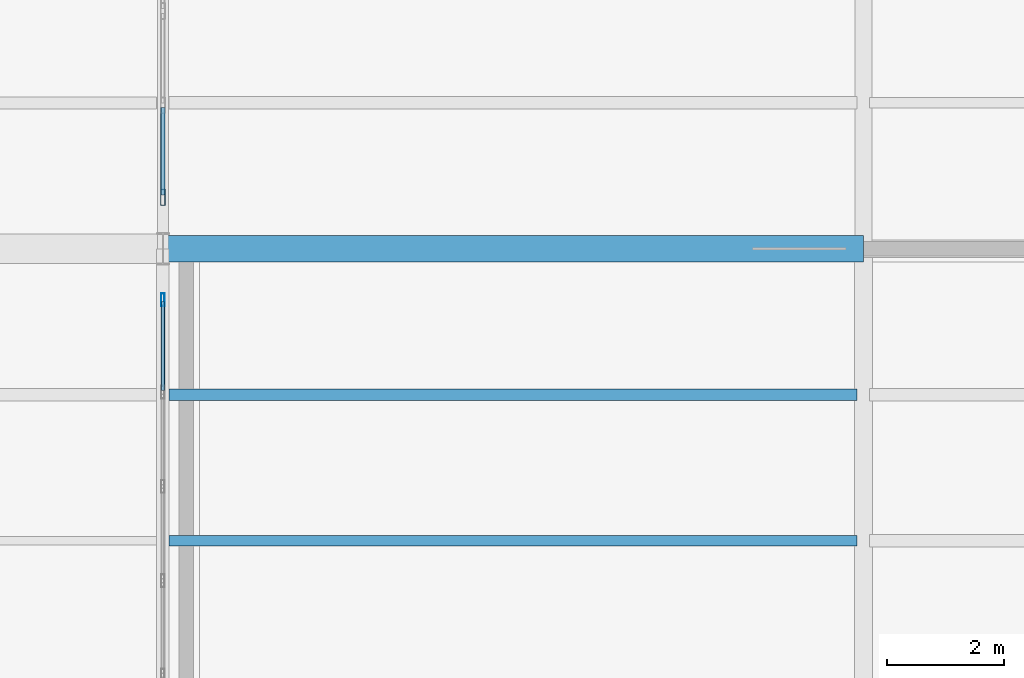
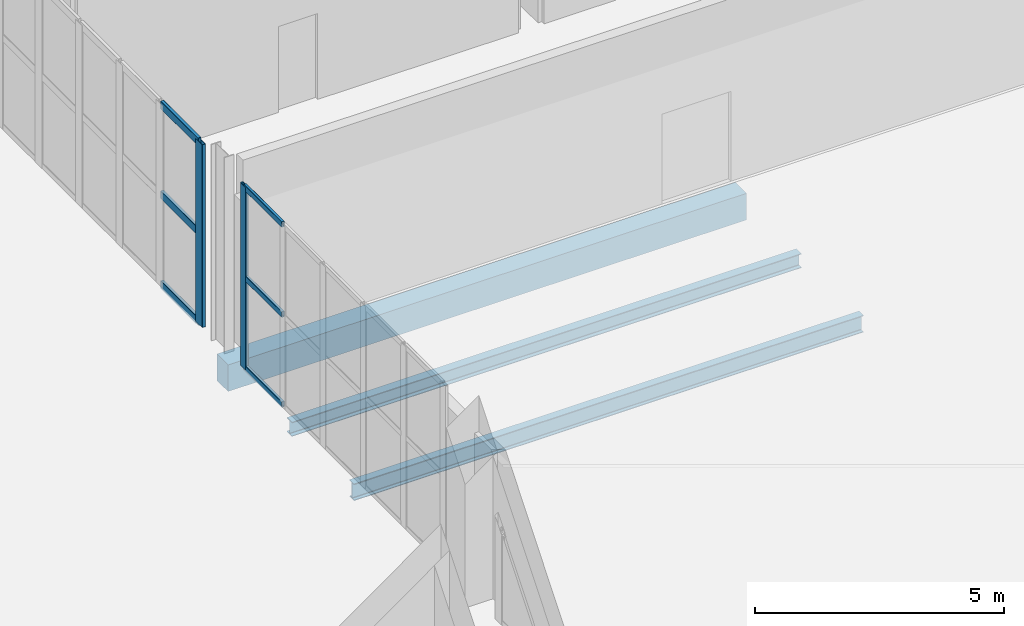
# One storey, part 74 of 136: 8 members, 3 beams, 2 elements without a shape of their own.
"""IFC4 building model written with IfcOpenShell, lengths in metres."""

from ifc_helpers import new_model, si_unit, direction, frame, origin, origin_2d, place, context, subcontext, project, spatial, rectangle, hollow_rectangle, i_section, extrude, material, layer, layer_set, material_profile, profile_set, type_object, element, aggregate, save


model = new_model("IFC4")

# Units and contexts
model_context = context("Model", 3, precision=1e-05, world=origin(), true_north=direction((0.0, 1.0)))
body_context = subcontext(model_context, "Body", "Model", "MODEL_VIEW")
ifc_project = project(units=[si_unit("LENGTHUNIT", "METRE"), si_unit("AREAUNIT", "SQUARE_METRE"), si_unit("VOLUMEUNIT", "CUBIC_METRE"), si_unit("PLANEANGLEUNIT", "RADIAN"), si_unit("MASSUNIT", "GRAM", prefix="KILO")], contexts=[model_context])

# Site, building, storey
site_placement = place(None, origin())
site = spatial("IfcSite", under=ifc_project, at=site_placement, CompositionType="ELEMENT")
building_placement = place(site_placement, origin())
building = spatial("IfcBuilding", under=site, at=building_placement, Name="Brinegate Civic Arena", CompositionType="ELEMENT")
storey_placement = place(building_placement, frame((0.0, 0.0, 5.39990234375)))
storey = spatial("IfcBuildingStorey", under=building, at=storey_placement, Name="L01", CompositionType="ELEMENT", Elevation=5.39990234375)

# Curtain wall, member
ifc_material_1 = material(Name="Marine grade aluminium", Category="aluminium")
ifc_layer = layer(ifc_material_1, 0.199951171875, Name="Marine grade aluminium")
ifc_layer_set = layer_set([ifc_layer], Name="Marine grade aluminium")
curtain_wall_type = type_object("IfcCurtainWallType", Name="CW-BOWL-GLAZED-01", PredefinedType="USERDEFINED", material=ifc_layer_set)
curtain_wall_1_placement = place(storey_placement, origin())
curtain_wall_1 = element("IfcCurtainWall", 1, at=curtain_wall_1_placement, inside=storey, type_object=curtain_wall_type, Name="Curtain Wall CWA-051", ObjectType="GLAZED CURTAIN WALL", PredefinedType="USERDEFINED")
ifc_material_profile_1 = material_profile(ifc_material_1, hollow_rectangle(XDim=0.06494140625, YDim=0.219970703125, WallThickness=0.006103515625, InnerFilletRadius=0.00390625, OuterFilletRadius=0.008056640625, at=origin_2d()), Name="MUL65X220")
ifc_profile_set_1 = profile_set([ifc_material_profile_1], Name="Marine grade aluminium")
member_type_1 = type_object("IfcMemberType", Name="CW-MULLION-65X220", PredefinedType="MULLION", material=ifc_profile_set_1)
member_1_placement = place(storey_placement, frame((168.0, 61.12548828125, 0.0), z_axis=(0.0, 0.0, 1.0), x_axis=(-1.0, 0.0, 0.0)))
member_1 = element("IfcMember", 2, at=member_1_placement, type_object=member_type_1, Name="CWA-051 mullion 6", PredefinedType="MULLION", context=body_context, shape_type="SweptSolid", body=[
    extrude(hollow_rectangle(XDim=0.06494140625, YDim=0.219970703125, WallThickness=0.006103515625, InnerFilletRadius=0.00390625, OuterFilletRadius=0.008056640625, at=origin_2d()), origin(), (0.0, 0.0, 1.0), 4.47021484375),
])

curtain_wall_2_placement = place(storey_placement, origin())
curtain_wall_2 = element("IfcCurtainWall", 3, at=curtain_wall_2_placement, inside=storey, type_object=curtain_wall_type, Name="Curtain Wall CWA-053", ObjectType="GLAZED CURTAIN WALL", PredefinedType="USERDEFINED")
ifc_material_profile_2 = material_profile(ifc_material_1, hollow_rectangle(XDim=0.080078125, YDim=0.280029296875, WallThickness=0.007080078125, InnerFilletRadius=0.0048828125, OuterFilletRadius=0.010009765625, at=origin_2d()), Name="MUL80X280")
ifc_profile_set_2 = profile_set([ifc_material_profile_2], Name="Marine grade aluminium")
member_type_2 = type_object("IfcMemberType", Name="CW-MULLION-80X280", PredefinedType="MULLION", material=ifc_profile_set_2)
member_2_placement = place(storey_placement, frame((168.0, 62.882080078125, 0.0), z_axis=(0.0, 0.0, 1.0), x_axis=(-1.0, 0.0, 0.0)))
member_2 = element("IfcMember", 4, at=member_2_placement, type_object=member_type_2, Name="CWA-053 mullion 1", PredefinedType="MULLION", context=body_context, shape_type="SweptSolid", body=[
    extrude(hollow_rectangle(XDim=0.080078125, YDim=0.280029296875, WallThickness=0.007080078125, InnerFilletRadius=0.0048828125, OuterFilletRadius=0.010009765625, at=origin_2d()), origin(), (0.0, 0.0, 1.0), 4.47021484375),
])

# Member
ifc_material_profile_3 = material_profile(ifc_material_1, hollow_rectangle(XDim=0.06494140625, YDim=0.139892578125, WallThickness=0.0048828125, InnerFilletRadius=0.00390625, OuterFilletRadius=0.008056640625, at=origin_2d()), Name="TRN65X140")
ifc_profile_set_3 = profile_set([ifc_material_profile_3], Name="Marine grade aluminium")
member_type_3 = type_object("IfcMemberType", Name="CW-TRANSOM-65X140", PredefinedType="USERDEFINED", material=ifc_profile_set_3)
member_3_placement = place(storey_placement, frame((168.0, 59.574951171875, 0.03271484375), z_axis=(0.0, 1.0, 0.0), x_axis=(-1.0, 0.0, 0.0)))
member_3 = element("IfcMember", 5, at=member_3_placement, type_object=member_type_3, Name="CWA-051 transom 5.1", ObjectType="TRANSOM", PredefinedType="USERDEFINED", context=body_context, shape_type="SweptSolid", body=[
    extrude(hollow_rectangle(XDim=0.06494140625, YDim=0.139892578125, WallThickness=0.0048828125, InnerFilletRadius=0.00390625, OuterFilletRadius=0.008056640625, at=origin_2d()), origin(), (0.0, 0.0, 1.0), 1.51806640625),
])

member_4_placement = place(storey_placement, frame((168.0, 59.574951171875, 2.235107421875), z_axis=(0.0, 1.0, 0.0), x_axis=(-1.0, 0.0, 0.0)))
member_4 = element("IfcMember", 6, at=member_4_placement, type_object=member_type_3, Name="CWA-051 transom 5.2", ObjectType="TRANSOM", PredefinedType="USERDEFINED", context=body_context, shape_type="SweptSolid", body=[
    extrude(hollow_rectangle(XDim=0.06494140625, YDim=0.139892578125, WallThickness=0.0048828125, InnerFilletRadius=0.00390625, OuterFilletRadius=0.008056640625, at=origin_2d()), origin(), (0.0, 0.0, 1.0), 1.51806640625),
])

member_5_placement = place(storey_placement, frame((168.0, 59.574951171875, 4.4375), z_axis=(0.0, 1.0, 0.0), x_axis=(-1.0, 0.0, 0.0)))
member_5 = element("IfcMember", 7, at=member_5_placement, type_object=member_type_3, Name="CWA-051 transom 5.3", ObjectType="TRANSOM", PredefinedType="USERDEFINED", context=body_context, shape_type="SweptSolid", body=[
    extrude(hollow_rectangle(XDim=0.06494140625, YDim=0.139892578125, WallThickness=0.0048828125, InnerFilletRadius=0.00390625, OuterFilletRadius=0.008056640625, at=origin_2d()), origin(), (0.0, 0.0, 1.0), 1.51806640625),
])

aggregate(curtain_wall_1, [member_1, member_3, member_4, member_5])

ifc_material_profile_4 = material_profile(ifc_material_1, hollow_rectangle(XDim=0.074951171875, YDim=0.18994140625, WallThickness=0.006103515625, InnerFilletRadius=0.00390625, OuterFilletRadius=0.008056640625, at=origin_2d()), Name="TRN75X190")
ifc_profile_set_4 = profile_set([ifc_material_profile_4], Name="Marine grade aluminium")
member_type_4 = type_object("IfcMemberType", Name="CW-TRANSOM-75X190", PredefinedType="USERDEFINED", material=ifc_profile_set_4)
member_6_placement = place(storey_placement, frame((168.0, 62.922119140625, 0.03759765625), z_axis=(0.0, 1.0, 0.0), x_axis=(-1.0, 0.0, 0.0)))
member_6 = element("IfcMember", 8, at=member_6_placement, type_object=member_type_4, Name="CWA-053 transom 1.1", ObjectType="TRANSOM", PredefinedType="USERDEFINED", context=body_context, shape_type="SweptSolid", body=[
    extrude(hollow_rectangle(XDim=0.074951171875, YDim=0.18994140625, WallThickness=0.006103515625, InnerFilletRadius=0.00390625, OuterFilletRadius=0.008056640625, at=origin_2d()), origin(), (0.0, 0.0, 1.0), 1.495361328125),
])

member_7_placement = place(storey_placement, frame((168.0, 62.922119140625, 2.235107421875), z_axis=(0.0, 1.0, 0.0), x_axis=(-1.0, 0.0, 0.0)))
member_7 = element("IfcMember", 9, at=member_7_placement, type_object=member_type_4, Name="CWA-053 transom 1.2", ObjectType="TRANSOM", PredefinedType="USERDEFINED", context=body_context, shape_type="SweptSolid", body=[
    extrude(hollow_rectangle(XDim=0.074951171875, YDim=0.18994140625, WallThickness=0.006103515625, InnerFilletRadius=0.00390625, OuterFilletRadius=0.008056640625, at=origin_2d()), origin(), (0.0, 0.0, 1.0), 1.495361328125),
])

member_8_placement = place(storey_placement, frame((168.0, 62.922119140625, 4.4326171875), z_axis=(0.0, 1.0, 0.0), x_axis=(-1.0, 0.0, 0.0)))
member_8 = element("IfcMember", 10, at=member_8_placement, type_object=member_type_4, Name="CWA-053 transom 1.3", ObjectType="TRANSOM", PredefinedType="USERDEFINED", context=body_context, shape_type="SweptSolid", body=[
    extrude(hollow_rectangle(XDim=0.074951171875, YDim=0.18994140625, WallThickness=0.006103515625, InnerFilletRadius=0.00390625, OuterFilletRadius=0.008056640625, at=origin_2d()), origin(), (0.0, 0.0, 1.0), 1.495361328125),
])

aggregate(curtain_wall_2, [member_2, member_6, member_7, member_8])

# Beams
ifc_material_2 = material(Name="Steel S355", Category="steel")
ifc_material_profile_5 = material_profile(ifc_material_2, i_section(OverallWidth=0.202880859375, OverallDepth=0.346923828125, WebThickness=0.008056640625, FlangeThickness=0.013916015625, FilletRadius=0.013916015625, at=origin_2d()), Name="W360X64")
ifc_profile_set_5 = profile_set([ifc_material_profile_5], Name="Steel S355")
beam_type_1 = type_object("IfcBeamType", Name="JOIST-W360X64", PredefinedType="JOIST", material=ifc_profile_set_5)
beam_1_placement = place(storey_placement, frame((168.10595703125, 59.5, -0.512939453125), z_axis=(1.0, 0.0, 0.0), x_axis=(0.0, 1.0, 0.0)))
element("IfcBeam", 11, at=beam_1_placement, inside=storey, type_object=beam_type_1, Name="Secondary Joist BM-L01-JX-14-05-3", PredefinedType="JOIST", context=body_context, shape_type="SweptSolid", body=[
    extrude(i_section(OverallWidth=0.202880859375, OverallDepth=0.346923828125, WebThickness=0.008056640625, FlangeThickness=0.013916015625, FilletRadius=0.013916015625, at=origin_2d()), origin(), (0.0, 0.0, 1.0), 11.7880859375),
])
ifc_material_profile_6 = material_profile(ifc_material_2, i_section(OverallWidth=0.179931640625, OverallDepth=0.4130859375, WebThickness=0.010009765625, FlangeThickness=0.01611328125, FilletRadius=0.013916015625, at=origin_2d()), Name="W410X75")
ifc_profile_set_6 = profile_set([ifc_material_profile_6], Name="Steel S355")
beam_type_2 = type_object("IfcBeamType", Name="JOIST-W410X75", PredefinedType="JOIST", material=ifc_profile_set_6)
beam_2_placement = place(storey_placement, frame((168.10595703125, 57.0, -0.5458984375), z_axis=(1.0, 0.0, 0.0), x_axis=(0.0, 1.0, 0.0)))
element("IfcBeam", 12, at=beam_2_placement, inside=storey, type_object=beam_type_2, Name="Secondary Joist BM-L01-JX-14-05-2", PredefinedType="JOIST", context=body_context, shape_type="SweptSolid", body=[
    extrude(i_section(OverallWidth=0.179931640625, OverallDepth=0.4130859375, WebThickness=0.010009765625, FlangeThickness=0.01611328125, FilletRadius=0.013916015625, at=origin_2d()), origin(), (0.0, 0.0, 1.0), 11.7880859375),
])
ifc_material_3 = material(Name="Concrete C50/60", Category="concrete")
ifc_material_profile_7 = material_profile(ifc_material_3, rectangle(XDim=0.449951171875, YDim=0.64990234375, at=origin_2d()), Name="RCB450X650")
ifc_profile_set_7 = profile_set([ifc_material_profile_7], Name="Concrete C50/60")
beam_type_3 = type_object("IfcBeamType", Name="RCG-450X650", PredefinedType="BEAM", material=ifc_profile_set_7)
beam_3_placement = place(storey_placement, frame((168.0, 62.0, -0.664794921875), z_axis=(1.0, 0.0, 0.0), x_axis=(0.0, 1.0, 0.0)))
element("IfcBeam", 13, at=beam_3_placement, inside=storey, type_object=beam_type_3, Name="Floor Girder BM-L01-GX-14-06", PredefinedType="BEAM", context=body_context, shape_type="SweptSolid", body=[
    extrude(rectangle(XDim=0.449951171875, YDim=0.64990234375, at=origin_2d()), origin(), (0.0, 0.0, 1.0), 12.0),
])

save(model, "model.ifc")
